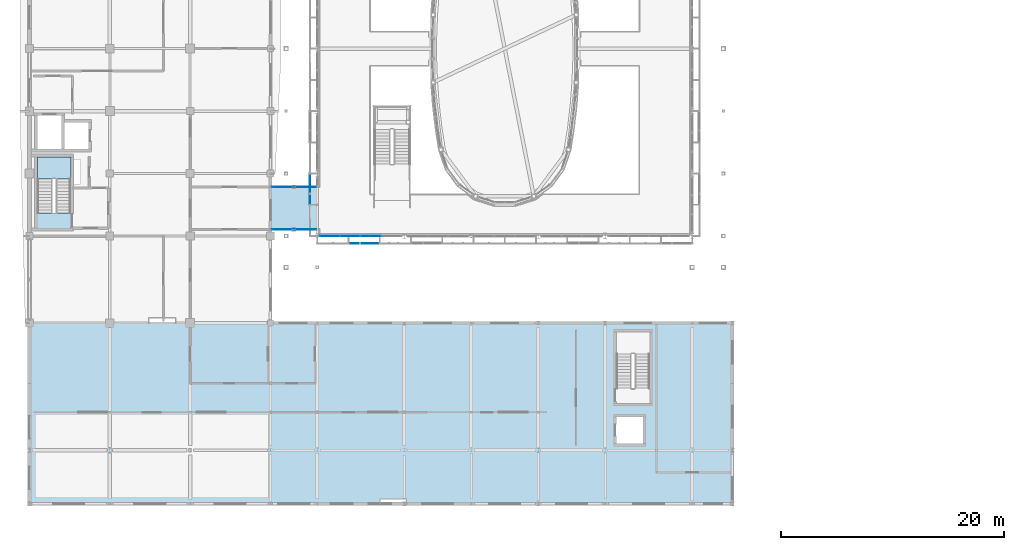
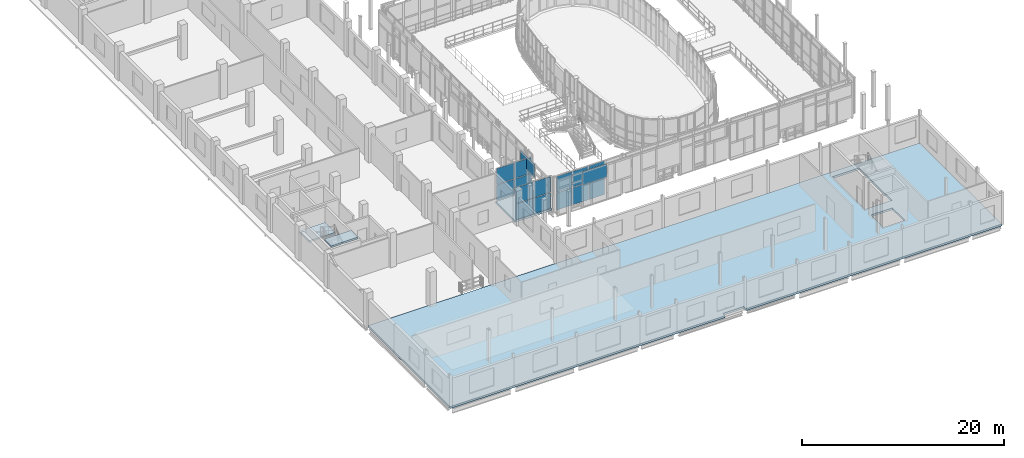
# One storey, part 79 of 121: 16 plates, 4 slabs, 4 elements without a shape of their own.
"""IFC4 building model written with IfcOpenShell, lengths in metres."""

from ifc_helpers import new_model, si_unit, direction, frame, origin, origin_2d, place, context, subcontext, project, spatial, polyline, rectangle, outline, extrude, material, layer, layer_set, type_object, element, aggregate, save


model = new_model("IFC4")

# Units and contexts
model_context = context("Model", 3, precision=1e-05, world=origin(), true_north=direction((0.0, 1.0)))
body_context = subcontext(model_context, "Body", "Model", "MODEL_VIEW")
ifc_project = project(units=[si_unit("LENGTHUNIT", "METRE"), si_unit("AREAUNIT", "SQUARE_METRE"), si_unit("VOLUMEUNIT", "CUBIC_METRE"), si_unit("PLANEANGLEUNIT", "RADIAN"), si_unit("MASSUNIT", "GRAM", prefix="KILO")], contexts=[model_context])

# Site, building, storey
site_placement = place(None, origin())
site = spatial("IfcSite", under=ifc_project, at=site_placement, CompositionType="ELEMENT")
building_placement = place(site_placement, origin())
building = spatial("IfcBuilding", under=site, at=building_placement, Name="Vinh Khe Railworks Police Headquarters", CompositionType="ELEMENT")
storey_placement = place(building_placement, frame((0.0, 0.0, 4.800048828125)))
storey = spatial("IfcBuildingStorey", under=building, at=storey_placement, Name="L01", CompositionType="ELEMENT", Elevation=4.800048828125)

# Curtain wall, plates
ifc_material_1 = material(Name="Anodised aluminium and low-iron glass", Category="aluminium")
ifc_layer_1 = layer(ifc_material_1, 0.179931640625)
ifc_layer_set_1 = layer_set([ifc_layer_1], Name="Anodised aluminium and low-iron glass")
curtain_wall_type_1 = type_object("IfcCurtainWallType", Name="CW-CUBE-UNIT", PredefinedType="USERDEFINED", material=ifc_layer_set_1)
curtain_wall_1_placement = place(storey_placement, origin())
curtain_wall_1 = element("IfcCurtainWall", 1, at=curtain_wall_1_placement, inside=storey, type_object=curtain_wall_type_1, Name="Entrance Hall Curtain Wall L01 S-1", ObjectType="UNITISED GLAZING", PredefinedType="USERDEFINED")
ifc_material_2 = material(Name="Low-iron laminated solar-control glass", Category="glass")
ifc_layer_2 = layer(ifc_material_2, 0.028076171875)
ifc_layer_set_2 = layer_set([ifc_layer_2], Name="Low-iron laminated solar-control glass")
plate_type_1 = type_object("IfcPlateType", Name="PAN-GLZ-28", PredefinedType="CURTAIN_PANEL", material=ifc_layer_set_2)
plate_1_placement = place(storey_placement, frame((27.496826171875, 25.199951171875, 0.06982421875), z_axis=(0.0, 0.0, 1.0), x_axis=(1.0, 0.0, 0.0)))
plate_1 = element("IfcPlate", 2, at=plate_1_placement, type_object=plate_type_1, Name="CW-01 panel 1.1", PredefinedType="CURTAIN_PANEL", context=body_context, shape_type="SweptSolid", body=[
    extrude(rectangle(XDim=1.753662109375, YDim=0.028076171875, at=origin_2d()), origin(), (0.0, 0.0, 1.0), 2.0791015625),
])
plate_2_placement = place(storey_placement, frame((27.496826171875, 25.199951171875, 2.21923828125), z_axis=(0.0, 0.0, 1.0), x_axis=(1.0, 0.0, 0.0)))
plate_2 = element("IfcPlate", 3, at=plate_2_placement, type_object=plate_type_1, Name="CW-01 panel 1.2", PredefinedType="CURTAIN_PANEL", context=body_context, shape_type="SweptSolid", body=[
    extrude(rectangle(XDim=1.753662109375, YDim=0.028076171875, at=origin_2d()), origin(), (0.0, 0.0, 1.0), 1.910888671875),
])
plate_3_placement = place(storey_placement, frame((29.338134765625, 25.199951171875, 0.06982421875), z_axis=(0.0, 0.0, 1.0), x_axis=(1.0, 0.0, 0.0)))
plate_3 = element("IfcPlate", 4, at=plate_3_placement, type_object=plate_type_1, Name="CW-01 panel 2.1", PredefinedType="CURTAIN_PANEL", context=body_context, shape_type="SweptSolid", body=[
    extrude(rectangle(XDim=1.788818359375, YDim=0.028076171875, at=origin_2d()), origin(), (0.0, 0.0, 1.0), 2.0791015625),
])
plate_4_placement = place(storey_placement, frame((29.338134765625, 25.199951171875, 2.21923828125), z_axis=(0.0, 0.0, 1.0), x_axis=(1.0, 0.0, 0.0)))
plate_4 = element("IfcPlate", 5, at=plate_4_placement, type_object=plate_type_1, Name="CW-01 panel 2.2", PredefinedType="CURTAIN_PANEL", context=body_context, shape_type="SweptSolid", body=[
    extrude(rectangle(XDim=1.788818359375, YDim=0.028076171875, at=origin_2d()), origin(), (0.0, 0.0, 1.0), 1.910888671875),
])
plate_5_placement = place(storey_placement, frame((31.19677734375, 25.199951171875, 0.06982421875), z_axis=(0.0, 0.0, 1.0), x_axis=(1.0, 0.0, 0.0)))
plate_5 = element("IfcPlate", 6, at=plate_5_placement, type_object=plate_type_1, Name="CW-01 panel 3.1", PredefinedType="CURTAIN_PANEL", context=body_context, shape_type="SweptSolid", body=[
    extrude(rectangle(XDim=1.788818359375, YDim=0.028076171875, at=origin_2d()), origin(), (0.0, 0.0, 1.0), 2.0791015625),
])
plate_6_placement = place(storey_placement, frame((31.19677734375, 25.199951171875, 2.21923828125), z_axis=(0.0, 0.0, 1.0), x_axis=(1.0, 0.0, 0.0)))
plate_6 = element("IfcPlate", 7, at=plate_6_placement, type_object=plate_type_1, Name="CW-01 panel 3.2", PredefinedType="CURTAIN_PANEL", context=body_context, shape_type="SweptSolid", body=[
    extrude(rectangle(XDim=1.788818359375, YDim=0.028076171875, at=origin_2d()), origin(), (0.0, 0.0, 1.0), 1.910888671875),
])
aggregate(curtain_wall_1, [plate_1, plate_2, plate_3, plate_4, plate_5, plate_6])

ifc_material_3 = material(Name="Anodised aluminium and solar-control glass", Category="aluminium")
ifc_layer_3 = layer(ifc_material_3, 0.159912109375)
ifc_layer_set_3 = layer_set([ifc_layer_3], Name="Anodised aluminium and solar-control glass")
curtain_wall_type_2 = type_object("IfcCurtainWallType", Name="CW-SHOPFRONT", PredefinedType="USERDEFINED", material=ifc_layer_set_3)
curtain_wall_2_placement = place(storey_placement, origin())
curtain_wall_2 = element("IfcCurtainWall", 8, at=curtain_wall_2_placement, inside=storey, type_object=curtain_wall_type_2, Name="Atrium Stair Link Glazing L01-S", ObjectType="UNITISED GLAZING", PredefinedType="USERDEFINED")
plate_7_placement = place(storey_placement, frame((23.2900390625, 25.800048828125, 0.06005859375), z_axis=(0.0, 0.0, 1.0), x_axis=(1.0, 0.0, 0.0)))
plate_7 = element("IfcPlate", 9, at=plate_7_placement, type_object=plate_type_1, Name="CW-03 panel 1.1", PredefinedType="CURTAIN_PANEL", context=body_context, shape_type="SweptSolid", body=[
    extrude(rectangle(XDim=1.9599609375, YDim=0.028076171875, at=origin_2d()), origin(), (0.0, 0.0, 1.0), 1.89990234375),
])
plate_8_placement = place(storey_placement, frame((23.2900390625, 25.800048828125, 2.02001953125), z_axis=(0.0, 0.0, 1.0), x_axis=(1.0, 0.0, 0.0)))
plate_8 = element("IfcPlate", 10, at=plate_8_placement, type_object=plate_type_1, Name="CW-03 panel 1.2", PredefinedType="CURTAIN_PANEL", context=body_context, shape_type="SweptSolid", body=[
    extrude(rectangle(XDim=1.9599609375, YDim=0.028076171875, at=origin_2d()), origin(), (0.0, 0.0, 1.0), 1.89990234375),
])
plate_9_placement = place(storey_placement, frame((25.31005859375, 25.800048828125, 0.06005859375), z_axis=(0.0, 0.0, 1.0), x_axis=(1.0, 0.0, 0.0)))
plate_9 = element("IfcPlate", 11, at=plate_9_placement, type_object=plate_type_1, Name="CW-03 panel 2.1", PredefinedType="CURTAIN_PANEL", context=body_context, shape_type="SweptSolid", body=[
    extrude(rectangle(XDim=1.9599609375, YDim=0.028076171875, at=origin_2d()), origin(), (0.0, 0.0, 1.0), 1.89990234375),
])
plate_10_placement = place(storey_placement, frame((25.31005859375, 25.800048828125, 2.02001953125), z_axis=(0.0, 0.0, 1.0), x_axis=(1.0, 0.0, 0.0)))
plate_10 = element("IfcPlate", 12, at=plate_10_placement, type_object=plate_type_1, Name="CW-03 panel 2.2", PredefinedType="CURTAIN_PANEL", context=body_context, shape_type="SweptSolid", body=[
    extrude(rectangle(XDim=1.9599609375, YDim=0.028076171875, at=origin_2d()), origin(), (0.0, 0.0, 1.0), 1.89990234375),
])
aggregate(curtain_wall_2, [plate_7, plate_8, plate_9, plate_10])

curtain_wall_3_placement = place(storey_placement, origin())
curtain_wall_3 = element("IfcCurtainWall", 13, at=curtain_wall_3_placement, inside=storey, type_object=curtain_wall_type_2, Name="Atrium Stair Link Glazing L01-N", ObjectType="UNITISED GLAZING", PredefinedType="USERDEFINED")
plate_11_placement = place(storey_placement, frame((23.2900390625, 29.60009765625, 0.06005859375), z_axis=(0.0, 0.0, 1.0), x_axis=(1.0, 0.0, 0.0)))
plate_11 = element("IfcPlate", 14, at=plate_11_placement, type_object=plate_type_1, Name="CW-03 panel 1.1", PredefinedType="CURTAIN_PANEL", context=body_context, shape_type="SweptSolid", body=[
    extrude(rectangle(XDim=1.9599609375, YDim=0.028076171875, at=origin_2d()), origin(), (0.0, 0.0, 1.0), 1.89990234375),
])
plate_12_placement = place(storey_placement, frame((23.2900390625, 29.60009765625, 2.02001953125), z_axis=(0.0, 0.0, 1.0), x_axis=(1.0, 0.0, 0.0)))
plate_12 = element("IfcPlate", 15, at=plate_12_placement, type_object=plate_type_1, Name="CW-03 panel 1.2", PredefinedType="CURTAIN_PANEL", context=body_context, shape_type="SweptSolid", body=[
    extrude(rectangle(XDim=1.9599609375, YDim=0.028076171875, at=origin_2d()), origin(), (0.0, 0.0, 1.0), 1.89990234375),
])
plate_13_placement = place(storey_placement, frame((25.31005859375, 29.60009765625, 0.06005859375), z_axis=(0.0, 0.0, 1.0), x_axis=(1.0, 0.0, 0.0)))
plate_13 = element("IfcPlate", 16, at=plate_13_placement, type_object=plate_type_1, Name="CW-03 panel 2.1", PredefinedType="CURTAIN_PANEL", context=body_context, shape_type="SweptSolid", body=[
    extrude(rectangle(XDim=1.9599609375, YDim=0.028076171875, at=origin_2d()), origin(), (0.0, 0.0, 1.0), 1.89990234375),
])
plate_14_placement = place(storey_placement, frame((25.31005859375, 29.60009765625, 2.02001953125), z_axis=(0.0, 0.0, 1.0), x_axis=(1.0, 0.0, 0.0)))
plate_14 = element("IfcPlate", 17, at=plate_14_placement, type_object=plate_type_1, Name="CW-03 panel 2.2", PredefinedType="CURTAIN_PANEL", context=body_context, shape_type="SweptSolid", body=[
    extrude(rectangle(XDim=1.9599609375, YDim=0.028076171875, at=origin_2d()), origin(), (0.0, 0.0, 1.0), 1.89990234375),
])
aggregate(curtain_wall_3, [plate_11, plate_12, plate_13, plate_14])

# Plates
ifc_material_4 = material(Name="Weathered architectural steel", Category="steel")
ifc_layer_4 = layer(ifc_material_4, 0.044921875)
ifc_layer_set_4 = layer_set([ifc_layer_4], Name="Weathered architectural steel")
plate_type_2 = type_object("IfcPlateType", Name="PLT-QP-02", PredefinedType="SHEET", material=ifc_layer_set_4)
for number, where, z_axis, x_axis, name in (
    (18, (30.60009765625, 24.550048828125, 2.60400390625), (0.0, 0.0, 1.0), (1.0, 0.0, 0.0), "Weathered Steel Casement Spandrel S-2"),
    (19, (25.75, 29.39990234375, 2.60400390625), (0.0, 0.0, 1.0), (0.0, 1.0, 0.0), "Weathered Steel Casement Spandrel W-2"),
):
    element("IfcPlate", number, at=place(storey_placement, frame(where, z_axis=z_axis, x_axis=x_axis)), inside=storey, type_object=plate_type_2, Name=name, PredefinedType="SHEET", context=body_context, shape_type="SweptSolid", body=[
        extrude(rectangle(XDim=2.800048828125, YDim=0.044921875, at=origin_2d()), origin(), (0.0, 0.0, 1.0), 1.595947265625),
    ])

# Stair, slabs
ifc_material_5 = material(Name="Precast concrete C40/50 (B40)", Category="concrete")
stair_type = type_object("IfcStairType", Name="ST-CORE-DOGLEG", PredefinedType="HALF_TURN_STAIR", material=ifc_material_5)
stair_placement = place(storey_placement, origin())
stair = element("IfcStair", 20, at=stair_placement, inside=storey, type_object=stair_type, Name="L01 Escape Stair ST-01", PredefinedType="HALF_TURN_STAIR")
ifc_material_6 = material(Name="Concrete C35/45 (B35)", Category="concrete")
ifc_layer_5 = layer(ifc_material_6, 0.199951171875)
ifc_layer_set_5 = layer_set([ifc_layer_5], Name="Concrete C35/45 (B35)")
slab_type_1 = type_object("IfcSlabType", Name="SLB-LAND-200", PredefinedType="LANDING", material=ifc_layer_set_5)
slab_1_placement = place(storey_placement, frame((0.0, 0.0, 1.89990234375)))
slab_1 = element("IfcSlab", 21, at=slab_1_placement, type_object=slab_type_1, Name="ST-01 landing 1", PredefinedType="LANDING", context=body_context, shape_type="SweptSolid", body=[
    extrude(outline(polyline([(4.300048828125, 30.330078125), (4.300048828125, 32.300048828125), (1.300048828125, 32.300048828125), (1.300048828125, 30.330078125), (4.300048828125, 30.330078125)])), origin(), (0.0, 0.0, 1.0), 0.199951171875),
])
slab_2_placement = place(storey_placement, frame((0.0, 0.0, 4.0)))
slab_2 = element("IfcSlab", 22, at=slab_2_placement, type_object=slab_type_1, Name="ST-01 landing 2", PredefinedType="LANDING", context=body_context, shape_type="SweptSolid", body=[
    extrude(outline(polyline([(1.280029296875, 25.8798828125), (4.320068359375, 25.8798828125), (4.320068359375, 27.260009765625), (1.280029296875, 27.260009765625), (1.280029296875, 25.8798828125)])), origin(), (0.0, 0.0, 1.0), 0.199951171875),
])
aggregate(stair, [slab_1, slab_2])

# Slabs
ifc_layer_6 = layer(ifc_material_6, 0.239990234375)
ifc_layer_set_6 = layer_set([ifc_layer_6], Name="Concrete C35/45 (B35)")
slab_type_2 = type_object("IfcSlabType", Name="Suspended Floor Slab 240", PredefinedType="FLOOR", material=ifc_layer_set_6)
slab_3_placement = place(storey_placement, frame((0.0, 0.0, -0.239990234375)))
element("IfcSlab", 23, at=slab_3_placement, inside=storey, type_object=slab_type_2, Name="V4 Floor Slab (L01)", PredefinedType="FLOOR", context=body_context, shape_type="SweptSolid", body=[
    extrude(outline(polyline([(0.60009765625, 1.199951171875), (32.0, 1.199951171875), (32.0, 1.64990234375), (34.39990234375, 1.64990234375), (34.39990234375, 1.199951171875), (63.60009765625, 1.199951171875), (63.60009765625, 17.389892578125), (0.60009765625, 17.389892578125), (0.60009765625, 1.199951171875)]), holes=[polyline([(53.169921875, 10.169921875), (56.22998046875, 10.169921875), (56.22998046875, 16.6298828125), (53.169921875, 16.6298828125), (53.169921875, 10.169921875)]), polyline([(53.179931640625, 6.580078125), (55.6201171875, 6.580078125), (55.6201171875, 9.02001953125), (53.179931640625, 9.02001953125), (53.179931640625, 6.580078125)])]), origin(), (0.0, 0.0, 1.0), 0.239990234375),
])
slab_4_placement = place(storey_placement, frame((0.0, 0.0, -0.239990234375)))
element("IfcSlab", 24, at=slab_4_placement, inside=storey, type_object=slab_type_2, Name="V1-GLK Floor Slab (L01)", PredefinedType="FLOOR", context=body_context, shape_type="SweptSolid", body=[
    extrude(outline(polyline([(22.2099609375, 25.800048828125), (26.389892578125, 25.800048828125), (26.389892578125, 29.60009765625), (22.2099609375, 29.60009765625), (22.2099609375, 25.800048828125)])), origin(), (0.0, 0.0, 1.0), 0.239990234375),
])

save(model, "model.ifc")
